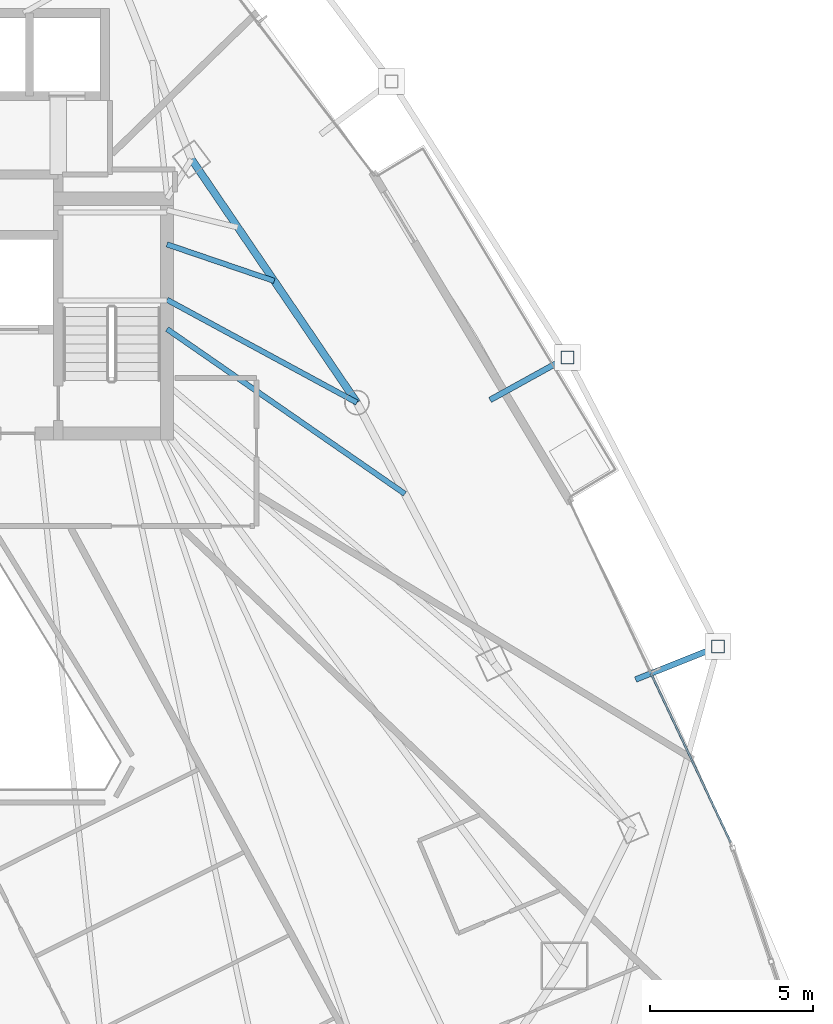
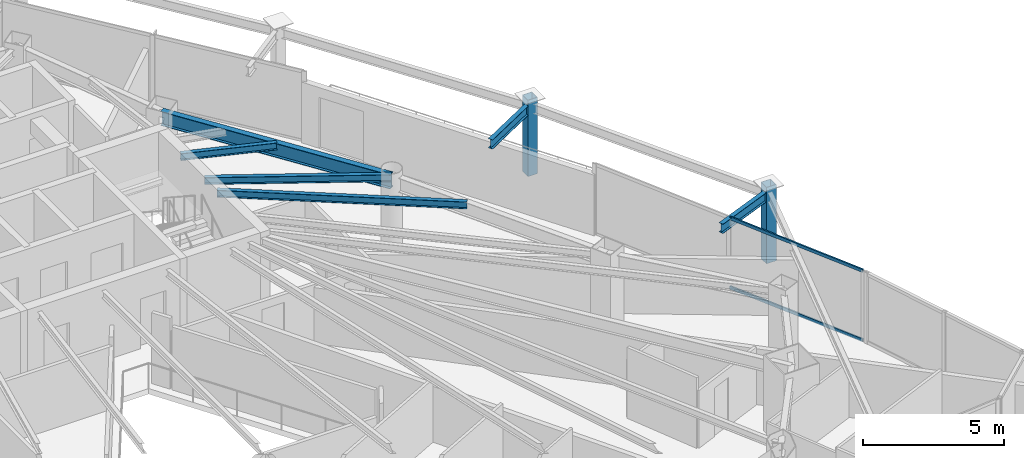
# One storey, part 16 of 31: 6 beams, 4 members, 1 element without a shape of its own.
"""IFC4 building model written with IfcOpenShell, lengths in metres."""

from ifc_helpers import new_model, si_unit, direction, frame, origin, origin_2d, place, context, subcontext, project, spatial, hollow_rectangle, i_section, extrude, material, layer, layer_set, material_profile, profile_set, type_object, element, aggregate, save


model = new_model("IFC4")

# Units and contexts
model_context = context("Model", 3, precision=1e-05, world=origin(), true_north=direction((0.0, 1.0)))
body_context = subcontext(model_context, "Body", "Model", "MODEL_VIEW")
ifc_project = project(units=[si_unit("LENGTHUNIT", "METRE"), si_unit("AREAUNIT", "SQUARE_METRE"), si_unit("VOLUMEUNIT", "CUBIC_METRE"), si_unit("PLANEANGLEUNIT", "RADIAN"), si_unit("MASSUNIT", "GRAM", prefix="KILO")], contexts=[model_context])

# Site, building, storey
site_placement = place(None, origin())
site = spatial("IfcSite", under=ifc_project, at=site_placement, CompositionType="ELEMENT")
building_placement = place(site_placement, origin())
building = spatial("IfcBuilding", under=site, at=building_placement, Name="Orvanel Arch Residences", CompositionType="ELEMENT")
storey_placement = place(building_placement, frame((0.0, 0.0, 113.300048828125)))
storey = spatial("IfcBuildingStorey", under=building, at=storey_placement, Name="L31", CompositionType="ELEMENT", Elevation=113.300048828125)

# Beams
ifc_material_1 = material(Name="Structural steel AS/NZS 3679.1 Grade 300 (300 MPa)", Category="steel")
ifc_material_profile_1 = material_profile(ifc_material_1, i_section(OverallWidth=0.1650390625, OverallDepth=0.303955078125, WebThickness=0.006103515625, FlangeThickness=0.01025390625, at=origin_2d()), Name="310UB40.4")
ifc_profile_set_1 = profile_set([ifc_material_profile_1], Name="Structural steel AS/NZS 3679.1 Grade 300 (300 MPa)")
beam_type_1 = type_object("IfcBeamType", Name="BJ-310UB", PredefinedType="JOIST", material=ifc_profile_set_1)
beam_1_placement = place(storey_placement, frame((39.60009765625, 30.800048828125, 2.907958984375), z_axis=(0.87925534649, -0.476350748576, 0.0), x_axis=(0.476350748576, 0.87925534649, 0.0)))
element("IfcBeam", 1, at=beam_1_placement, inside=storey, type_object=beam_type_1, Name="L31 NE Wing Floor Joist", PredefinedType="JOIST", context=body_context, shape_type="SweptSolid", body=[
    extrude(i_section(OverallWidth=0.1650390625, OverallDepth=0.303955078125, WebThickness=0.006103515625, FlangeThickness=0.01025390625, at=origin_2d()), origin(), (0.0, 0.0, 1.0), 6.631591796875),
])
beam_2_placement = place(storey_placement, frame((39.60009765625, 32.5, 2.907958984375), z_axis=(0.9464126781, -0.322959815969, 0.0), x_axis=(0.322959815969, 0.9464126781, 0.0)))
element("IfcBeam", 2, at=beam_2_placement, inside=storey, type_object=beam_type_1, Name="L31 ENE Wing Floor Joist", PredefinedType="JOIST", context=body_context, shape_type="SweptSolid", body=[
    extrude(i_section(OverallWidth=0.1650390625, OverallDepth=0.303955078125, WebThickness=0.006103515625, FlangeThickness=0.01025390625, at=origin_2d()), origin(), (0.0, 0.0, 1.0), 3.477294921875),
])
beam_3_placement = place(storey_placement, frame((39.60009765625, 29.89990234375, 2.907958984375), z_axis=(0.822002180325, -0.569484341787, 0.0), x_axis=(0.569484341787, 0.822002180325, 0.0)))
element("IfcBeam", 3, at=beam_3_placement, inside=storey, type_object=beam_type_1, Name="L31 CTE Wing Floor Joist", PredefinedType="JOIST", context=body_context, shape_type="SweptSolid", body=[
    extrude(i_section(OverallWidth=0.1650390625, OverallDepth=0.303955078125, WebThickness=0.006103515625, FlangeThickness=0.01025390625, at=origin_2d()), origin(), (0.0, 0.0, 1.0), 8.88330078125),
])
ifc_material_profile_2 = material_profile(ifc_material_1, i_section(OverallWidth=0.177978515625, OverallDepth=0.406005859375, WebThickness=0.0078125, FlangeThickness=0.0126953125, at=origin_2d()), Name="410UB59.7")
ifc_profile_set_2 = profile_set([ifc_material_profile_2], Name="Structural steel AS/NZS 3679.1 Grade 300 (300 MPa)")
beam_type_2 = type_object("IfcBeamType", Name="OB-410UB-EXT", PredefinedType="SPANDREL", material=ifc_profile_set_2)
beam_4_placement = place(storey_placement, frame((53.987060546875, 19.139892578125, 2.85693359375), z_axis=(0.928693119767, 0.37084914628, 0.0), x_axis=(-0.37084914628, 0.928693119767, 0.0)))
element("IfcBeam", 4, at=beam_4_placement, inside=storey, type_object=beam_type_2, Name="L31 Outer Frame Radial Tie Beam 09", PredefinedType="SPANDREL", context=body_context, shape_type="SweptSolid", body=[
    extrude(i_section(OverallWidth=0.177978515625, OverallDepth=0.406005859375, WebThickness=0.0078125, FlangeThickness=0.0126953125, at=origin_2d()), origin(), (0.0, 0.0, 1.0), 2.720947265625),
])
beam_5_placement = place(storey_placement, frame((49.51708984375, 27.722900390625, 2.85693359375), z_axis=(0.875348920249, 0.483491745348, 0.0), x_axis=(-0.483491745348, 0.875348920249, 0.0)))
element("IfcBeam", 5, at=beam_5_placement, inside=storey, type_object=beam_type_2, Name="L31 Outer Frame Radial Tie Beam 10", PredefinedType="SPANDREL", context=body_context, shape_type="SweptSolid", body=[
    extrude(i_section(OverallWidth=0.177978515625, OverallDepth=0.406005859375, WebThickness=0.0078125, FlangeThickness=0.0126953125, at=origin_2d()), origin(), (0.0, 0.0, 1.0), 2.70947265625),
])
ifc_material_profile_3 = material_profile(ifc_material_1, i_section(OverallWidth=0.22900390625, OverallDepth=0.612060546875, WebThickness=0.011962890625, FlangeThickness=0.01953125, at=origin_2d()), Name="610UB125")
ifc_profile_set_3 = profile_set([ifc_material_profile_3], Name="Structural steel AS/NZS 3679.1 Grade 300 (300 MPa)")
beam_type_3 = type_object("IfcBeamType", Name="SP-610UB", PredefinedType="SPANDREL", material=ifc_profile_set_3)
beam_6_placement = place(storey_placement, frame((45.430908203125, 27.64111328125, 2.75390625), z_axis=(-0.562154793153, 0.827032035978, 0.0), x_axis=(-0.827032035978, -0.562154793153, 0.0)))
element("IfcBeam", 6, at=beam_6_placement, inside=storey, type_object=beam_type_3, Name="L31 Perimeter Spandrel Beam 12", PredefinedType="SPANDREL", context=body_context, shape_type="SweptSolid", body=[
    extrude(i_section(OverallWidth=0.22900390625, OverallDepth=0.612060546875, WebThickness=0.011962890625, FlangeThickness=0.01953125, at=origin_2d()), origin(), (0.0, 0.0, 1.0), 9.03466796875),
])

# Members
ifc_material_2 = material(Name="Structural steel AS/NZS 1163 C450L0 (Grade 450)", Category="steel")
ifc_material_profile_4 = material_profile(ifc_material_2, hollow_rectangle(XDim=0.39990234375, YDim=0.39990234375, WallThickness=0.01611328125, at=origin_2d()), Name="SHS400x400x16")
ifc_profile_set_4 = profile_set([ifc_material_profile_4], Name="Structural steel AS/NZS 1163 C450L0 (Grade 450)")
member_type_1 = type_object("IfcMemberType", Name="ST-400SHS-EXT", PredefinedType="STRUT", material=ifc_profile_set_4)
for number, where, z_axis, x_axis, name in (
    (7, (56.513916015625, 20.14892578125, 0.0), (0.0, 0.0, 1.0), (1.0, 0.0, 0.0), "L31 Outer Perimeter Frame Post 09"),
    (8, (51.888916015625, 29.032958984375, 0.0), (0.0, 0.0, 1.0), (1.0, 0.0, 0.0), "L31 Outer Perimeter Frame Post 10"),
):
    element("IfcMember", number, at=place(storey_placement, frame(where, z_axis=z_axis, x_axis=x_axis)), inside=storey, type_object=member_type_1, Name=name, PredefinedType="STRUT", context=body_context, shape_type="SweptSolid", body=[
        extrude(hollow_rectangle(XDim=0.39990234375, YDim=0.39990234375, WallThickness=0.01611328125, at=origin_2d()), origin(), (0.0, 0.0, 1.0), 3.300048828125),
    ])

# Curtain wall, members
ifc_material_3 = material(Name="Bronze-anodised aluminium AA6063-T6", Category="aluminium")
ifc_layer = layer(ifc_material_3, 0.179931640625)
ifc_layer_set = layer_set([ifc_layer], Name="Bronze-anodised aluminium AA6063-T6")
curtain_wall_type = type_object("IfcCurtainWallType", Name="CW3-MID-SYS", PredefinedType="NOTDEFINED", material=ifc_layer_set)
curtain_wall_placement = place(storey_placement, origin())
curtain_wall = element("IfcCurtainWall", 9, at=curtain_wall_placement, inside=storey, type_object=curtain_wall_type, Name="L31 CW3-MID-SYS Unitised Curtain Wall", PredefinedType="NOTDEFINED")
ifc_material_profile_5 = material_profile(ifc_material_3, hollow_rectangle(XDim=0.06005859375, YDim=0.135009765625, WallThickness=0.00390625, at=origin_2d()), Name="ALU135x60x4")
ifc_profile_set_5 = profile_set([ifc_material_profile_5], Name="Bronze-anodised aluminium AA6063-T6")
member_type_2 = type_object("IfcMemberType", Name="TRN-135x60", PredefinedType="USERDEFINED", material=ifc_profile_set_5)
member_1_placement = place(storey_placement, frame((56.903076171875, 14.139404296875, 0.030029296875), z_axis=(-0.42661999141, 0.904430971898, 0.0), x_axis=(-0.904430971898, -0.42661999141, 0.0)))
member_1 = element("IfcMember", 10, at=member_1_placement, type_object=member_type_2, Name="CW-S3 transom 1.1", ObjectType="TRANSOM", PredefinedType="USERDEFINED", context=body_context, shape_type="SweptSolid", body=[
    extrude(hollow_rectangle(XDim=0.06005859375, YDim=0.135009765625, WallThickness=0.00390625, at=origin_2d()), origin(), (0.0, 0.0, 1.0), 5.727783203125),
])
member_2_placement = place(storey_placement, frame((56.903076171875, 14.139404296875, 3.030029296875), z_axis=(-0.42661999141, 0.904430971898, 0.0), x_axis=(-0.904430971898, -0.42661999141, 0.0)))
member_2 = element("IfcMember", 11, at=member_2_placement, type_object=member_type_2, Name="CW-S3 transom 1.2", ObjectType="TRANSOM", PredefinedType="USERDEFINED", context=body_context, shape_type="SweptSolid", body=[
    extrude(hollow_rectangle(XDim=0.06005859375, YDim=0.135009765625, WallThickness=0.00390625, at=origin_2d()), origin(), (0.0, 0.0, 1.0), 5.727783203125),
])
aggregate(curtain_wall, [member_1, member_2])

save(model, "model.ifc")
